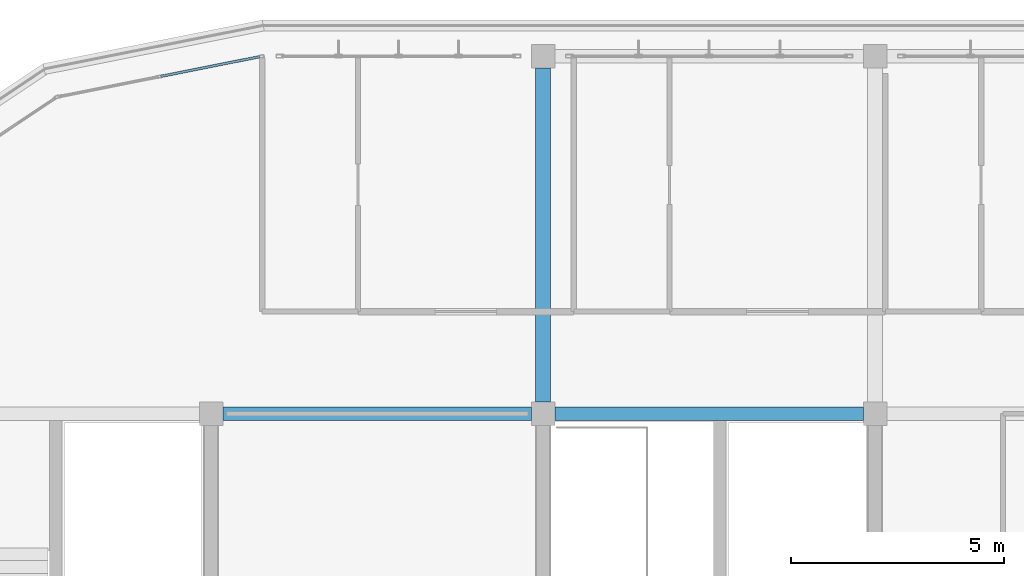
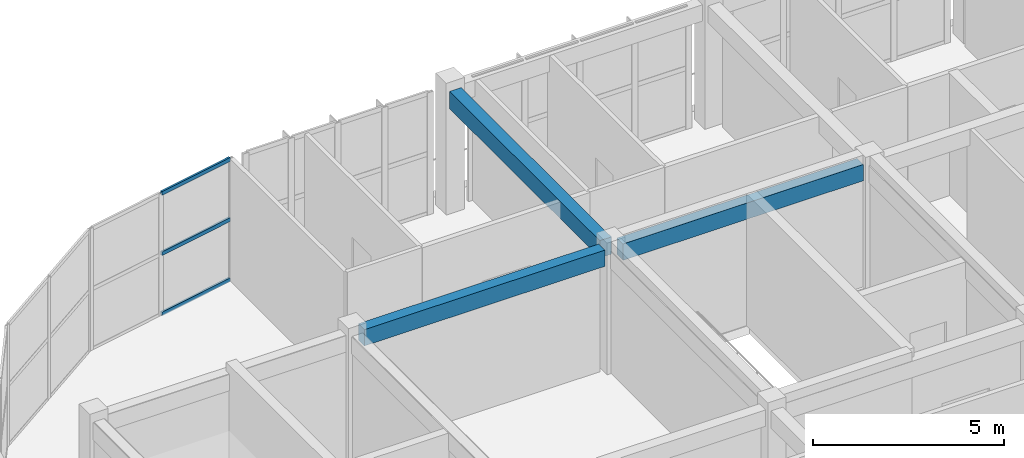
# One storey, part 8 of 33: 3 beams, 3 members, 1 element without a shape of its own.
"""IFC4 building model written with IfcOpenShell, lengths in metres."""

from ifc_helpers import new_model, si_unit, direction, frame, origin, origin_2d, place, context, subcontext, project, spatial, rectangle, hollow_rectangle, extrude, material, layer, layer_set, material_profile, profile_set, type_object, element, aggregate, save


model = new_model("IFC4")

# Units and contexts
model_context = context("Model", 3, precision=1e-05, world=origin(), true_north=direction((0.0, 1.0)))
body_context = subcontext(model_context, "Body", "Model", "MODEL_VIEW")
ifc_project = project(units=[si_unit("LENGTHUNIT", "METRE"), si_unit("AREAUNIT", "SQUARE_METRE"), si_unit("VOLUMEUNIT", "CUBIC_METRE"), si_unit("PLANEANGLEUNIT", "RADIAN"), si_unit("MASSUNIT", "GRAM", prefix="KILO")], contexts=[model_context])

# Site, building, storey
site_placement = place(None, origin())
site = spatial("IfcSite", under=ifc_project, at=site_placement, CompositionType="ELEMENT")
building_placement = place(site_placement, origin())
building = spatial("IfcBuilding", under=site, at=building_placement, Name="Zizhar Promenade General Hospital", CompositionType="ELEMENT")
storey_placement = place(building_placement, frame((0.0, 0.0, 39.0)))
storey = spatial("IfcBuildingStorey", under=building, at=storey_placement, Name="L09", CompositionType="ELEMENT", Elevation=39.0)

# Beams
ifc_material_1 = material(Name="Concrete C35/45", Category="concrete")
ifc_material_profile_1 = material_profile(ifc_material_1, rectangle(XDim=0.320068359375, YDim=0.52001953125, at=origin_2d()))
ifc_profile_set_1 = profile_set([ifc_material_profile_1], Name="Concrete C35/45")
beam_type_1 = type_object("IfcBeamType", Name="BM-RC-320x520", PredefinedType="LINTEL", material=ifc_profile_set_1)
for number, where, z_axis, x_axis, name in (
    (1, (54.875, 16.800048828125, 3.64990234375), (1.0, 0.0, 0.0), (0.0, 1.0, 0.0), "Grid Beam X L09 (7-2)"),
    (2, (62.675048828125, 16.800048828125, 3.64990234375), (1.0, 0.0, 0.0), (0.0, 1.0, 0.0), "Grid Beam X L09 (8-2)"),
):
    element("IfcBeam", number, at=place(storey_placement, frame(where, z_axis=z_axis, x_axis=x_axis)), inside=storey, type_object=beam_type_1, Name=name, PredefinedType="LINTEL", context=body_context, shape_type="SweptSolid", body=[
        extrude(rectangle(XDim=0.320068359375, YDim=0.52001953125, at=origin_2d()), origin(), (0.0, 0.0, 1.0), 7.25),
    ])
ifc_material_2 = material(Name="Concrete C35/45", Category="concrete")
ifc_material_profile_2 = material_profile(ifc_material_2, rectangle(XDim=0.35009765625, YDim=0.550048828125, at=origin_2d()))
ifc_profile_set_2 = profile_set([ifc_material_profile_2], Name="Concrete C35/45")
beam_type_2 = type_object("IfcBeamType", Name="BM-RC-350x550", PredefinedType="LINTEL", material=ifc_profile_set_2)
beam_placement = place(storey_placement, frame((62.39990234375, 17.074951171875, 3.635009765625), z_axis=(0.0, 1.0, 0.0), x_axis=(-1.0, 0.0, 0.0)))
element("IfcBeam", 3, at=beam_placement, inside=storey, type_object=beam_type_2, Name="Grid Beam Y L09 (8-2)", PredefinedType="LINTEL", context=body_context, shape_type="SweptSolid", body=[
    extrude(rectangle(XDim=0.35009765625, YDim=0.550048828125, at=origin_2d()), origin(), (0.0, 0.0, 1.0), 7.85009765625),
])

# Curtain wall, members
ifc_material_3 = material(Name="Anodised aluminium 6063-T6 and low-E glass", Category="aluminium")
ifc_layer = layer(ifc_material_3, 0.159912109375)
ifc_layer_set = layer_set([ifc_layer], Name="Anodised aluminium 6063-T6 and low-E glass")
curtain_wall_type = type_object("IfcCurtainWallType", Name="CW-WARD-ARC", PredefinedType="NOTDEFINED", material=ifc_layer_set)
curtain_wall_placement = place(storey_placement, origin())
curtain_wall = element("IfcCurtainWall", 4, at=curtain_wall_placement, inside=storey, type_object=curtain_wall_type, Name="Ward Semicircular End Glazing L09-10", PredefinedType="NOTDEFINED")
ifc_material_4 = material(Name="Anodised aluminium 6063-T6", Category="aluminium")
ifc_material_profile_3 = material_profile(ifc_material_4, hollow_rectangle(XDim=0.06005859375, YDim=0.1201171875, WallThickness=0.00390625, at=origin_2d()))
ifc_profile_set_3 = profile_set([ifc_material_profile_3], Name="Anodised aluminium 6063-T6")
member_type = type_object("IfcMemberType", Name="CWT-ALU-120x60", PredefinedType="USERDEFINED", material=ifc_profile_set_3)
member_1_placement = place(storey_placement, frame((53.41845703125, 24.726318359375, 0.030029296875), z_axis=(0.980794200422, 0.195045472693, 0.0), x_axis=(-0.195045472693, 0.980794200422, 0.0)))
member_1 = element("IfcMember", 5, at=member_1_placement, type_object=member_type, Name="CW-12 transom 2.1", ObjectType="TRANSOM", PredefinedType="USERDEFINED", context=body_context, shape_type="SweptSolid", body=[
    extrude(hollow_rectangle(XDim=0.06005859375, YDim=0.1201171875, WallThickness=0.00390625, at=origin_2d()), origin(), (0.0, 0.0, 1.0), 2.3681640625),
])
member_2_placement = place(storey_placement, frame((53.41845703125, 24.726318359375, 1.949951171875), z_axis=(0.980794200422, 0.195045472693, 0.0), x_axis=(-0.195045472693, 0.980794200422, 0.0)))
member_2 = element("IfcMember", 6, at=member_2_placement, type_object=member_type, Name="CW-12 transom 2.2", ObjectType="TRANSOM", PredefinedType="USERDEFINED", context=body_context, shape_type="SweptSolid", body=[
    extrude(hollow_rectangle(XDim=0.06005859375, YDim=0.1201171875, WallThickness=0.00390625, at=origin_2d()), origin(), (0.0, 0.0, 1.0), 2.3681640625),
])
member_3_placement = place(storey_placement, frame((53.41845703125, 24.726318359375, 3.8701171875), z_axis=(0.980794200422, 0.195045472693, 0.0), x_axis=(-0.195045472693, 0.980794200422, 0.0)))
member_3 = element("IfcMember", 7, at=member_3_placement, type_object=member_type, Name="CW-12 transom 2.3", ObjectType="TRANSOM", PredefinedType="USERDEFINED", context=body_context, shape_type="SweptSolid", body=[
    extrude(hollow_rectangle(XDim=0.06005859375, YDim=0.1201171875, WallThickness=0.00390625, at=origin_2d()), origin(), (0.0, 0.0, 1.0), 2.3681640625),
])
aggregate(curtain_wall, [member_1, member_2, member_3])

save(model, "model.ifc")
